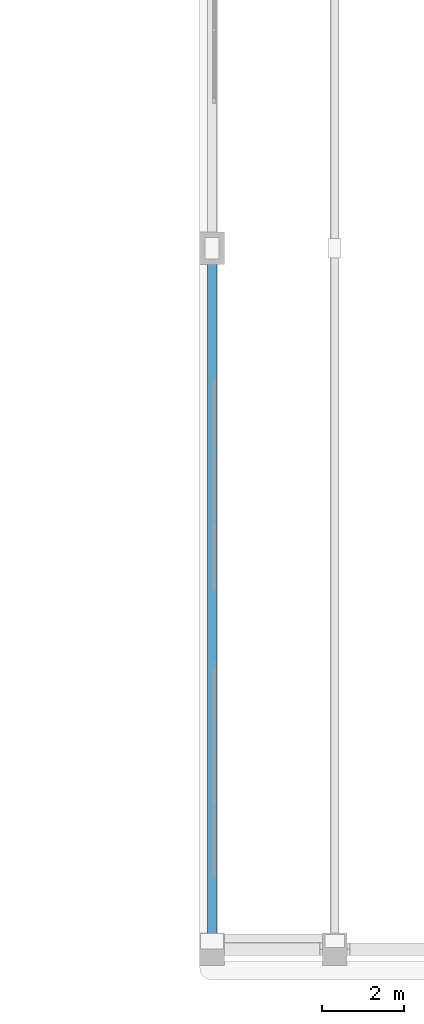
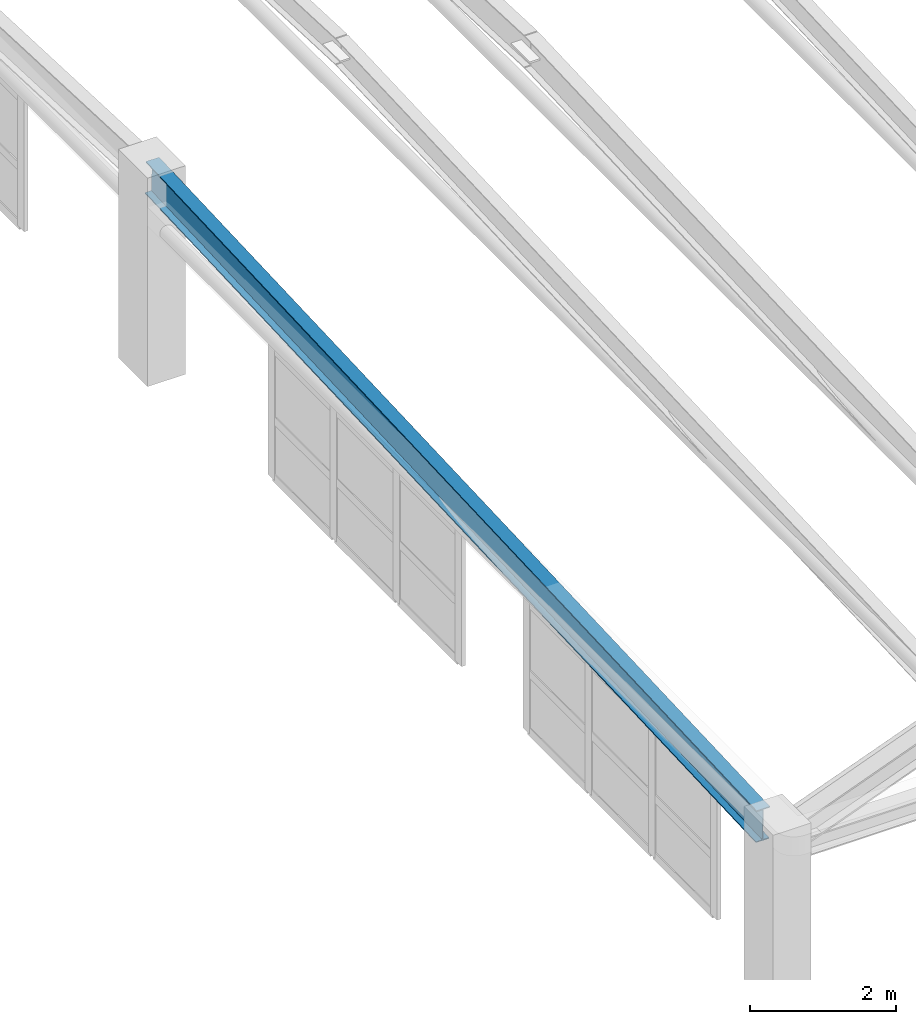
# One storey, part 10 of 128: 1 beam.
"""IFC4 building model written with IfcOpenShell, lengths in metres."""

from ifc_helpers import new_model, si_unit, direction, frame, origin, origin_2d, place, context, subcontext, project, spatial, i_section, extrude, material, material_profile, profile_set, type_object, element, save


model = new_model("IFC4")

# Units and contexts
model_context = context("Model", 3, precision=1e-05, world=origin(), true_north=direction((0.0, 1.0)))
body_context = subcontext(model_context, "Body", "Model", "MODEL_VIEW")
ifc_project = project(units=[si_unit("LENGTHUNIT", "METRE"), si_unit("AREAUNIT", "SQUARE_METRE"), si_unit("VOLUMEUNIT", "CUBIC_METRE"), si_unit("PLANEANGLEUNIT", "RADIAN"), si_unit("MASSUNIT", "GRAM", prefix="KILO")], contexts=[model_context])

# Site, building, storey
site_placement = place(None, origin())
site = spatial("IfcSite", under=ifc_project, at=site_placement, CompositionType="ELEMENT")
building_placement = place(site_placement, origin())
building = spatial("IfcBuilding", under=site, at=building_placement, Name="Keldmere Railside Commons", CompositionType="ELEMENT")
storey_placement = place(building_placement, frame((0.0, 0.0, 4.159912109375)))
storey = spatial("IfcBuildingStorey", under=building, at=storey_placement, Name="L01", CompositionType="ELEMENT", Elevation=4.159912109375)

# Beam
ifc_material = material(Name="Steel F-36 (S355)", Category="steel")
ifc_material_profile = material_profile(ifc_material, i_section(OverallWidth=0.2099609375, OverallDepth=0.550048828125, WebThickness=0.010986328125, FlangeThickness=0.01708984375, at=origin_2d()), Name="IPE-550")
ifc_profile_set = profile_set([ifc_material_profile], Name="Steel F-36 (S355)")
beam_type = type_object("IfcBeamType", Name="Folded-Plate Steel Valley Rib IPE550", PredefinedType="BEAM", material=ifc_profile_set)
beam_placement = place(storey_placement, frame((64.0, 12.85009765625, 2.47998046875), z_axis=(0.0, 0.999102317345, 0.042362241155), x_axis=(-1.0, 0.0, 0.0)))
element("IfcBeam", 1, at=beam_placement, inside=storey, type_object=beam_type, Name="FPV-1 BM-L01-2575", PredefinedType="BEAM", context=body_context, shape_type="SweptSolid", body=[
    extrude(i_section(OverallWidth=0.2099609375, OverallDepth=0.550048828125, WebThickness=0.010986328125, FlangeThickness=0.01708984375, at=origin_2d()), origin(), (0.0, 0.0, 1.0), 16.76513671875),
])

save(model, "model.ifc")
